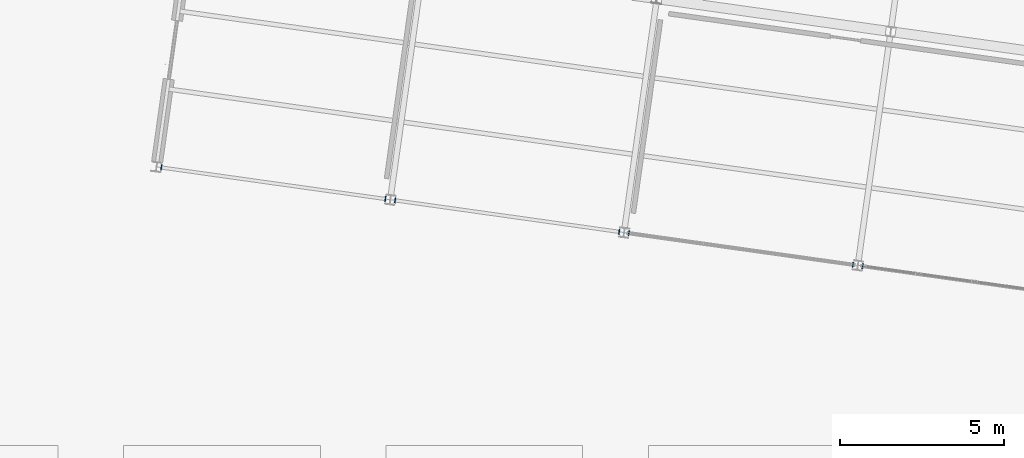
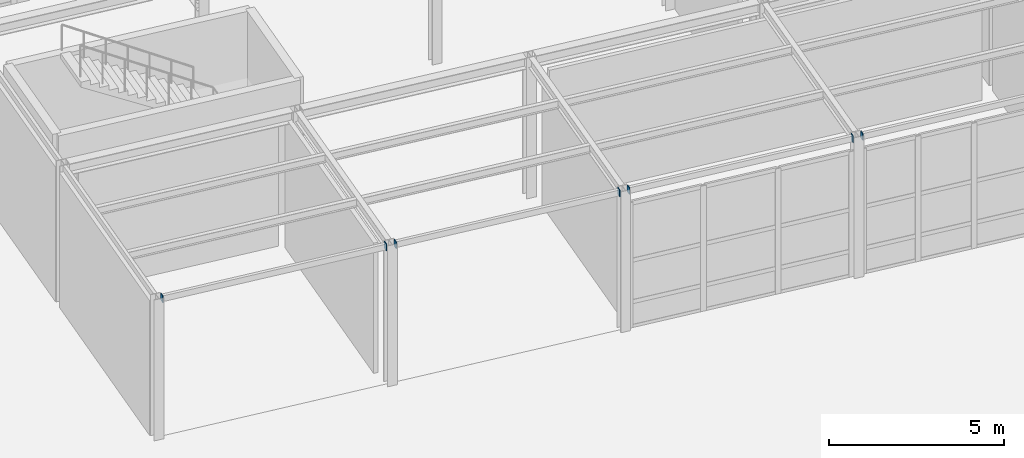
# One storey, part 37 of 57: 7 plates.
"""IFC4 building model written with IfcOpenShell, lengths in metres."""

from ifc_helpers import new_model, si_unit, direction, frame, origin, origin_2d, place, context, subcontext, project, spatial, rectangle, extrude, material, layer, layer_set, type_object, element, save


model = new_model("IFC4")

# Units and contexts
model_context = context("Model", 3, precision=1e-05, world=origin(), true_north=direction((0.0, 1.0)))
body_context = subcontext(model_context, "Body", "Model", "MODEL_VIEW")
ifc_project = project(units=[si_unit("LENGTHUNIT", "METRE"), si_unit("AREAUNIT", "SQUARE_METRE"), si_unit("VOLUMEUNIT", "CUBIC_METRE"), si_unit("PLANEANGLEUNIT", "RADIAN"), si_unit("MASSUNIT", "GRAM", prefix="KILO")], contexts=[model_context])

# Site, building, storey
site_placement = place(None, origin())
site = spatial("IfcSite", under=ifc_project, at=site_placement, CompositionType="ELEMENT")
building_placement = place(site_placement, origin())
building = spatial("IfcBuilding", under=site, at=building_placement, Name="Kharisveld Research Institute", CompositionType="ELEMENT")
storey_placement = place(building_placement, origin())
storey = spatial("IfcBuildingStorey", under=building, at=storey_placement, Name="L00", CompositionType="ELEMENT", Elevation=0.0)

# Plates
ifc_material = material(Name="Steel S355JR", Category="steel")
ifc_layer = layer(ifc_material, 0.01806640625)
ifc_layer_set = layer_set([ifc_layer], Name="PL_CAP_B")
plate_type = type_object("IfcPlateType", Name="PL_CAP_B", PredefinedType="SHEET", material=ifc_layer_set)
for number, where, z_axis, x_axis, name in (
    (1, (75.1484375, 17.47900390625, 4.7001953125), (0.0, 0.0, 1.0), (0.990268068742, -0.13917310096, 0.0), "PLT:CAP:BM:V4:L00:U0_0:0"),
    (2, (81.9814453125, 16.518798828125, 4.7001953125), (0.0, 0.0, 1.0), (0.990268068742, -0.13917310096, 0.0), "PLT:CAP:BM:V4:L00:U0_0:1"),
    (3, (82.278564453125, 16.47705078125, 4.7001953125), (0.0, 0.0, 1.0), (0.990268068742, -0.13917310096, 0.0), "PLT:CAP:BM:V4:L00:U1_0:0"),
    (4, (89.111328125, 15.516845703125, 4.7001953125), (0.0, 0.0, 1.0), (0.990268068742, -0.13917310096, 0.0), "PLT:CAP:BM:V4:L00:U1_0:1"),
    (5, (89.408447265625, 15.47509765625, 4.7001953125), (0.0, 0.0, 1.0), (0.990268068742, -0.13917310096, 0.0), "PLT:CAP:BM:V4:L00:U2_0:0"),
    (6, (96.2412109375, 14.5146484375, 4.7001953125), (0.0, 0.0, 1.0), (0.990268068742, -0.13917310096, 0.0), "PLT:CAP:BM:V4:L00:U2_0:1"),
    (7, (96.538330078125, 14.472900390625, 4.7001953125), (0.0, 0.0, 1.0), (0.990268068742, -0.13917310096, 0.0), "PLT:CAP:BM:V4:L00:U3_0:0"),
):
    element("IfcPlate", number, at=place(storey_placement, frame(where, z_axis=z_axis, x_axis=x_axis)), inside=storey, type_object=plate_type, Name=name, PredefinedType="SHEET", context=body_context, shape_type="SweptSolid", body=[
        extrude(rectangle(XDim=0.02392578125, YDim=0.159912109375, at=origin_2d()), origin(), (0.0, 0.0, 1.0), 0.239990234375),
    ])

save(model, "model.ifc")
